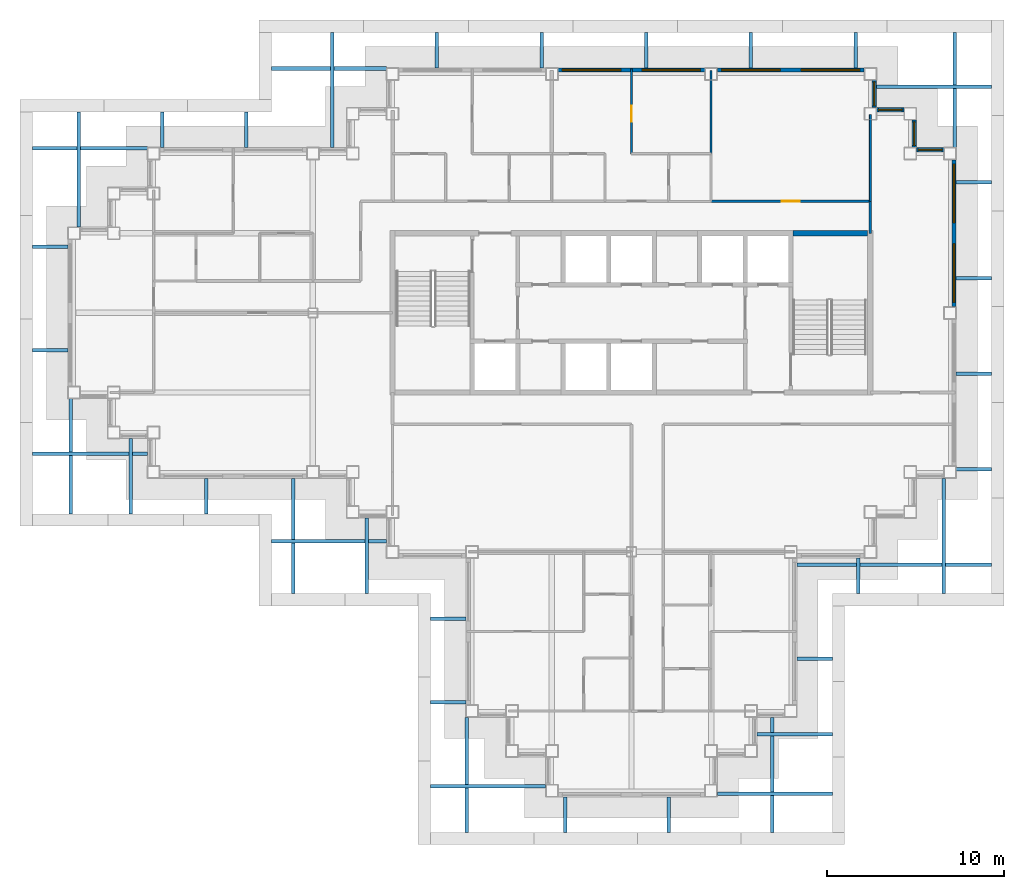
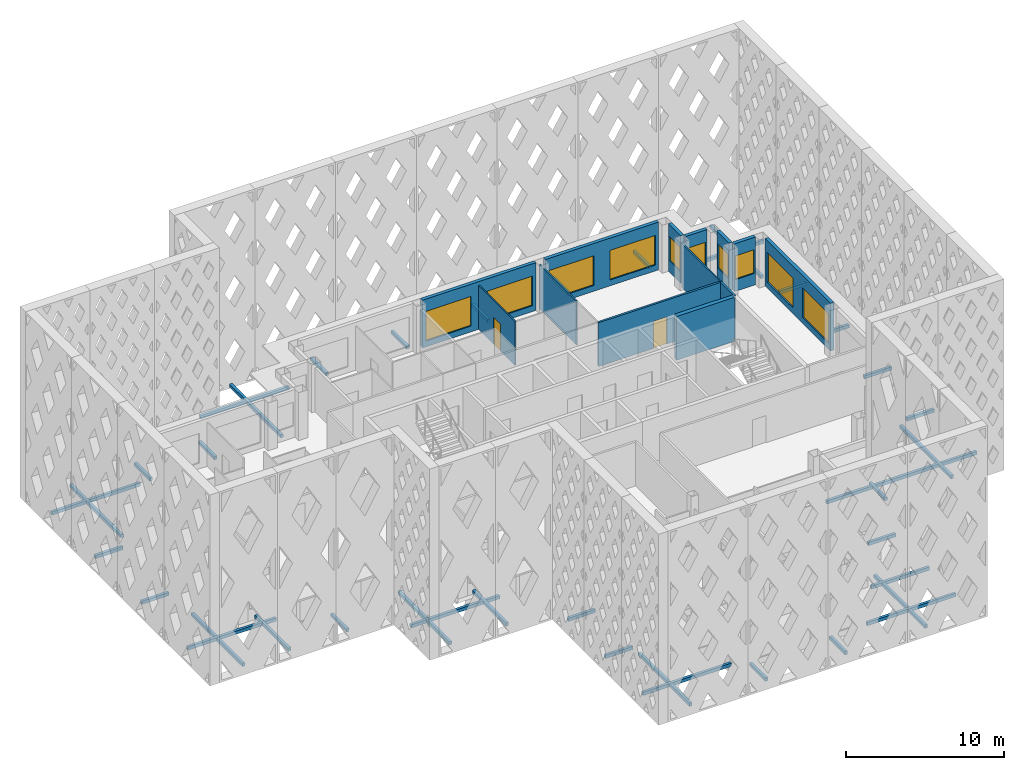
# One storey, part 7 of 16: 39 discrete accessories, 13 walls, 10 windows, 2 doors, 12 openings.
"""IFC4 building model written with IfcOpenShell, lengths in metres."""

from ifc_helpers import new_model, si_unit, direction, frame, frame_2d, origin, origin_2d, place, context, subcontext, project, spatial, rectangle, extrude, material, layer, layer_set, type_object, element, fill, save


model = new_model("IFC4")

# Units and contexts
model_context = context("Model", 3, precision=1e-05, world=origin(), true_north=direction((0.0, 1.0)))
body_context = subcontext(model_context, "Body", "Model", "MODEL_VIEW")
ifc_project = project(units=[si_unit("LENGTHUNIT", "METRE"), si_unit("AREAUNIT", "SQUARE_METRE"), si_unit("VOLUMEUNIT", "CUBIC_METRE"), si_unit("PLANEANGLEUNIT", "RADIAN"), si_unit("MASSUNIT", "GRAM", prefix="KILO")], contexts=[model_context])

# Site, building, storey
site_placement = place(None, origin())
site = spatial("IfcSite", under=ifc_project, at=site_placement, CompositionType="ELEMENT")
building_placement = place(site_placement, origin())
building = spatial("IfcBuilding", under=site, at=building_placement, Name="Caravel Reach Hotel and Residences", CompositionType="ELEMENT")
storey_placement = place(building_placement, frame((0.0, 0.0, 207.199951171875)))
storey = spatial("IfcBuildingStorey", under=building, at=storey_placement, Name="L52", CompositionType="ELEMENT", Elevation=207.199951171875)

# Wall
ifc_material_1 = material(Name="Concrete C60", Category="concrete")
ifc_layer_1 = layer(ifc_material_1, 0.300048828125)
ifc_layer_set_1 = layer_set([ifc_layer_1], Name="Core wall 300 mm EI 120")
wall_type_1 = type_object("IfcWallType", Name="Core wall 300 mm EI 120", PredefinedType="SHEAR", material=ifc_layer_set_1)
wall_1_placement = place(storey_placement, frame((40.625, 31.5, 0.0), z_axis=(0.0, 0.0, 1.0), x_axis=(1.0, 0.0, 0.0)))
element("IfcWall", 1, at=wall_1_placement, inside=storey, type_object=wall_type_1, Name="L52 core wall N3", PredefinedType="SHEAR", context=body_context, shape_type="SweptSolid", body=[
    extrude(rectangle(XDim=4.22509765625, YDim=0.300048828125, at=frame_2d((2.112548828125, 0.0))), origin(), (0.0, 0.0, 1.0), 3.400146484375),
])

# Wall, opening, door
ifc_material_2 = material(Name="Gypsum board on steel stud, fire-rated", Category="steel")
ifc_layer_2 = layer(ifc_material_2, 0.14990234375)
ifc_layer_set_2 = layer_set([ifc_layer_2], Name="Corridor wall 150 mm EI 60")
wall_type_2 = type_object("IfcWallType", Name="Corridor wall 150 mm EI 60", PredefinedType="PARTITIONING", material=ifc_layer_set_2)
wall_2_placement = place(storey_placement, frame((36.0, 33.300048828125, 0.0), z_axis=(0.0, 0.0, 1.0), x_axis=(1.0, 0.0, 0.0)))
wall_2 = element("IfcWall", 2, at=wall_2_placement, inside=storey, type_object=wall_type_2, Name="L52 wall w014", PredefinedType="PARTITIONING", context=body_context, shape_type="SweptSolid", body=[
    extrude(rectangle(XDim=9.0, YDim=0.14990234375, at=frame_2d((4.5, 0.0))), origin(), (0.0, 0.0, 1.0), 3.400146484375),
])
opening_1_placement = place(wall_2_placement, frame((4.0, 0.0, 0.0)))
opening_1 = element("IfcOpeningElement", 3, at=opening_1_placement, cuts=wall_2, Name="Opening D52-024", PredefinedType="OPENING", context=body_context, shape_type="SweptSolid", body=[
    extrude(rectangle(XDim=1.0, YDim=2.10009765625, at=frame_2d((0.5, 1.050048828125))), frame((0.0, 0.0849609375, 0.0), z_axis=(0.0, -1.0, 0.0), x_axis=(1.0, 0.0, 0.0)), (0.0, 0.0, 1.0), 0.169921875),
])
ifc_material_3 = material(Name="Steel fire door leaf", Category="steel")
door_type_1 = type_object("IfcDoorType", Name="Fire door 1000 x 2100 EI 60", OperationType="SINGLE_SWING_LEFT", PredefinedType="DOOR", material=ifc_material_3)
door_1_placement = place(opening_1_placement, origin())
door_1 = element("IfcDoor", 4, at=door_1_placement, inside=storey, type_object=door_type_1, Name="door D52-024", OperationType="SINGLE_SWING_RIGHT", OverallHeight=2.10009765625, OverallWidth=1.0, PredefinedType="DOOR", context=body_context, shape_type="SweptSolid", body=[
    extrude(rectangle(XDim=1.0, YDim=2.10009765625, at=frame_2d((0.5, 1.050048828125))), frame((0.0, 0.02490234375, 0.0), z_axis=(0.0, -1.0, 0.0), x_axis=(1.0, 0.0, 0.0)), (0.0, 0.0, 1.0), 0.050048828125),
])
fill(opening_1, door_1)

# Wall
wall_3_placement = place(storey_placement, frame((45.0, 31.5, 0.0), z_axis=(0.0, 0.0, 1.0), x_axis=(0.0, 1.0, 0.0)))
element("IfcWall", 5, at=wall_3_placement, inside=storey, type_object=wall_type_2, Name="L52 wall w026", PredefinedType="PARTITIONING", context=body_context, shape_type="SweptSolid", body=[
    extrude(rectangle(XDim=1.800048828125, YDim=0.14990234375, at=frame_2d((0.89990234375, 0.0))), origin(), (0.0, 0.0, 1.0), 3.400146484375),
])

# Wall, openings, windows
ifc_material_4 = material(Name="Insulated rainscreen wall, aluminium cladding", Category="aluminium")
ifc_layer_3 = layer(ifc_material_4, 0.25)
ifc_layer_set_3 = layer_set([ifc_layer_3], Name="EW1 Tower rainscreen wall")
wall_type_3 = type_object("IfcWallType", Name="EW1 Tower rainscreen wall", PredefinedType="SOLIDWALL", material=ifc_layer_set_3)
wall_4_placement = place(storey_placement, frame((49.72509765625, 27.35009765625, 0.0), z_axis=(0.0, 0.0, 1.0), x_axis=(0.0, 1.0, 0.0)))
wall_4 = element("IfcWall", 6, at=wall_4_placement, inside=storey, type_object=wall_type_3, Name="External wall L52 E6.2", PredefinedType="SOLIDWALL", context=body_context, shape_type="SweptSolid", body=[
    extrude(rectangle(XDim=8.2998046875, YDim=0.25, at=frame_2d((4.14990234375, 0.0))), origin(), (0.0, 0.0, 1.0), 3.699951171875),
])
opening_2_placement = place(wall_4_placement, frame((0.25, 0.0, 0.449951171875)))
opening_2 = element("IfcOpeningElement", 7, at=opening_2_placement, cuts=wall_4, Name="Opening WN15", PredefinedType="OPENING", context=body_context, shape_type="SweptSolid", body=[
    extrude(rectangle(XDim=3.300048828125, YDim=2.300048828125, at=frame_2d((1.64990234375, 1.14990234375))), frame((0.0, 0.135009765625, 0.0), z_axis=(0.0, -1.0, 0.0), x_axis=(1.0, 0.0, 0.0)), (0.0, 0.0, 1.0), 0.27001953125),
])
opening_3_placement = place(wall_4_placement, frame((4.75, 0.0, 0.449951171875)))
opening_3 = element("IfcOpeningElement", 8, at=opening_3_placement, cuts=wall_4, Name="Opening WN15", PredefinedType="OPENING", context=body_context, shape_type="SweptSolid", body=[
    extrude(rectangle(XDim=3.300048828125, YDim=2.300048828125, at=frame_2d((1.64990234375, 1.14990234375))), frame((0.0, 0.135009765625, 0.0), z_axis=(0.0, -1.0, 0.0), x_axis=(1.0, 0.0, 0.0)), (0.0, 0.0, 1.0), 0.27001953125),
])
ifc_material_5 = material(Name="Dark low-e glazing in black aluminium frame", Category="aluminium")
window_type_1 = type_object("IfcWindowType", Name="Residence living window 3300 x 2300", PartitioningType="SINGLE_PANEL", PredefinedType="WINDOW", material=ifc_material_5)
window_1_placement = place(opening_2_placement, origin())
window_1 = element("IfcWindow", 9, at=window_1_placement, inside=storey, type_object=window_type_1, Name="Window L52 E6.2.1", OverallHeight=2.300048828125, OverallWidth=3.300048828125, PartitioningType="SINGLE_PANEL", PredefinedType="WINDOW", context=body_context, shape_type="SweptSolid", body=[
    extrude(rectangle(XDim=3.300048828125, YDim=2.300048828125, at=frame_2d((1.64990234375, 1.14990234375))), frame((0.0, 0.030029296875, 0.0), z_axis=(0.0, -1.0, 0.0), x_axis=(1.0, 0.0, 0.0)), (0.0, 0.0, 1.0), 0.06005859375),
])
fill(opening_2, window_1)
window_2_placement = place(opening_3_placement, origin())
window_2 = element("IfcWindow", 10, at=window_2_placement, inside=storey, type_object=window_type_1, Name="Window L52 E6.2.2", OverallHeight=2.300048828125, OverallWidth=3.300048828125, PartitioningType="SINGLE_PANEL", PredefinedType="WINDOW", context=body_context, shape_type="SweptSolid", body=[
    extrude(rectangle(XDim=3.300048828125, YDim=2.300048828125, at=frame_2d((1.64990234375, 1.14990234375))), frame((0.0, 0.030029296875, 0.0), z_axis=(0.0, -1.0, 0.0), x_axis=(1.0, 0.0, 0.0)), (0.0, 0.0, 1.0), 0.06005859375),
])
fill(opening_3, window_2)

# Wall, opening, window
wall_5_placement = place(storey_placement, frame((49.14990234375, 36.22509765625, 0.0), z_axis=(0.0, 0.0, 1.0), x_axis=(-1.0, 0.0, 0.0)))
wall_5 = element("IfcWall", 11, at=wall_5_placement, inside=storey, type_object=wall_type_3, Name="External wall L52 N7.1", PredefinedType="SOLIDWALL", context=body_context, shape_type="SweptSolid", body=[
    extrude(rectangle(XDim=1.5498046875, YDim=0.25, at=frame_2d((0.77490234375, 0.0))), origin(), (0.0, 0.0, 1.0), 3.699951171875),
])
opening_4_placement = place(wall_5_placement, frame((0.10009765625, 0.0, 0.89990234375)))
opening_4 = element("IfcOpeningElement", 12, at=opening_4_placement, cuts=wall_5, Name="Opening WN21", PredefinedType="OPENING", context=body_context, shape_type="SweptSolid", body=[
    extrude(rectangle(XDim=1.35009765625, YDim=1.85009765625, at=frame_2d((0.675048828125, 0.925048828125))), frame((0.0, 0.135009765625, 0.0), z_axis=(0.0, -1.0, 0.0), x_axis=(1.0, 0.0, 0.0)), (0.0, 0.0, 1.0), 0.27001953125),
])
ifc_material_6 = material(Name="Dark low-e glazing in black aluminium frame", Category="aluminium")
window_type_2 = type_object("IfcWindowType", Name="Residence bedroom window 1350 x 1850", PartitioningType="SINGLE_PANEL", PredefinedType="WINDOW", material=ifc_material_6)
window_3_placement = place(opening_4_placement, origin())
window_3 = element("IfcWindow", 13, at=window_3_placement, inside=storey, type_object=window_type_2, Name="Window L52 N7.1.1", OverallHeight=1.85009765625, OverallWidth=1.35009765625, PartitioningType="SINGLE_PANEL", PredefinedType="WINDOW", context=body_context, shape_type="SweptSolid", body=[
    extrude(rectangle(XDim=1.35009765625, YDim=1.85009765625, at=frame_2d((0.675048828125, 0.925048828125))), frame((0.0, 0.030029296875, 0.0), z_axis=(0.0, -1.0, 0.0), x_axis=(1.0, 0.0, 0.0)), (0.0, 0.0, 1.0), 0.06005859375),
])
fill(opening_4, window_3)

wall_6_placement = place(storey_placement, frame((47.47509765625, 36.35009765625, 0.0), z_axis=(0.0, 0.0, 1.0), x_axis=(0.0, 1.0, 0.0)))
wall_6 = element("IfcWall", 14, at=wall_6_placement, inside=storey, type_object=wall_type_3, Name="External wall L52 E8.1", PredefinedType="SOLIDWALL", context=body_context, shape_type="SweptSolid", body=[
    extrude(rectangle(XDim=1.5498046875, YDim=0.25, at=frame_2d((0.77490234375, 0.0))), origin(), (0.0, 0.0, 1.0), 3.699951171875),
])
opening_5_placement = place(wall_6_placement, frame((0.10009765625, 0.0, 0.89990234375)))
opening_5 = element("IfcOpeningElement", 15, at=opening_5_placement, cuts=wall_6, Name="Opening WN21", PredefinedType="OPENING", context=body_context, shape_type="SweptSolid", body=[
    extrude(rectangle(XDim=1.35009765625, YDim=1.85009765625, at=frame_2d((0.675048828125, 0.925048828125))), frame((0.0, 0.135009765625, 0.0), z_axis=(0.0, -1.0, 0.0), x_axis=(1.0, 0.0, 0.0)), (0.0, 0.0, 1.0), 0.27001953125),
])
window_4_placement = place(opening_5_placement, origin())
window_4 = element("IfcWindow", 16, at=window_4_placement, inside=storey, type_object=window_type_2, Name="Window L52 E8.1.1", OverallHeight=1.85009765625, OverallWidth=1.35009765625, PartitioningType="SINGLE_PANEL", PredefinedType="WINDOW", context=body_context, shape_type="SweptSolid", body=[
    extrude(rectangle(XDim=1.35009765625, YDim=1.85009765625, at=frame_2d((0.675048828125, 0.925048828125))), frame((0.0, 0.030029296875, 0.0), z_axis=(0.0, -1.0, 0.0), x_axis=(1.0, 0.0, 0.0)), (0.0, 0.0, 1.0), 0.06005859375),
])
fill(opening_5, window_4)

wall_7_placement = place(storey_placement, frame((46.89990234375, 38.47509765625, 0.0), z_axis=(0.0, 0.0, 1.0), x_axis=(-1.0, 0.0, 0.0)))
wall_7 = element("IfcWall", 17, at=wall_7_placement, inside=storey, type_object=wall_type_3, Name="External wall L52 N9.1", PredefinedType="SOLIDWALL", context=body_context, shape_type="SweptSolid", body=[
    extrude(rectangle(XDim=1.5498046875, YDim=0.25, at=frame_2d((0.77490234375, 0.0))), origin(), (0.0, 0.0, 1.0), 3.699951171875),
])
opening_6_placement = place(wall_7_placement, frame((0.10009765625, 0.0, 0.89990234375)))
opening_6 = element("IfcOpeningElement", 18, at=opening_6_placement, cuts=wall_7, Name="Opening WN21", PredefinedType="OPENING", context=body_context, shape_type="SweptSolid", body=[
    extrude(rectangle(XDim=1.35009765625, YDim=1.85009765625, at=frame_2d((0.675048828125, 0.925048828125))), frame((0.0, 0.135009765625, 0.0), z_axis=(0.0, -1.0, 0.0), x_axis=(1.0, 0.0, 0.0)), (0.0, 0.0, 1.0), 0.27001953125),
])
window_5_placement = place(opening_6_placement, origin())
window_5 = element("IfcWindow", 19, at=window_5_placement, inside=storey, type_object=window_type_2, Name="Window L52 N9.1.1", OverallHeight=1.85009765625, OverallWidth=1.35009765625, PartitioningType="SINGLE_PANEL", PredefinedType="WINDOW", context=body_context, shape_type="SweptSolid", body=[
    extrude(rectangle(XDim=1.35009765625, YDim=1.85009765625, at=frame_2d((0.675048828125, 0.925048828125))), frame((0.0, 0.030029296875, 0.0), z_axis=(0.0, -1.0, 0.0), x_axis=(1.0, 0.0, 0.0)), (0.0, 0.0, 1.0), 0.06005859375),
])
fill(opening_6, window_5)

wall_8_placement = place(storey_placement, frame((45.22509765625, 38.60009765625, 0.0), z_axis=(0.0, 0.0, 1.0), x_axis=(0.0, 1.0, 0.0)))
wall_8 = element("IfcWall", 20, at=wall_8_placement, inside=storey, type_object=wall_type_3, Name="External wall L52 E10.1", PredefinedType="SOLIDWALL", context=body_context, shape_type="SweptSolid", body=[
    extrude(rectangle(XDim=1.5498046875, YDim=0.25, at=frame_2d((0.77490234375, 0.0))), origin(), (0.0, 0.0, 1.0), 3.699951171875),
])
opening_7_placement = place(wall_8_placement, frame((0.10009765625, 0.0, 0.89990234375)))
opening_7 = element("IfcOpeningElement", 21, at=opening_7_placement, cuts=wall_8, Name="Opening WN21", PredefinedType="OPENING", context=body_context, shape_type="SweptSolid", body=[
    extrude(rectangle(XDim=1.35009765625, YDim=1.85009765625, at=frame_2d((0.675048828125, 0.925048828125))), frame((0.0, 0.135009765625, 0.0), z_axis=(0.0, -1.0, 0.0), x_axis=(1.0, 0.0, 0.0)), (0.0, 0.0, 1.0), 0.27001953125),
])
window_6_placement = place(opening_7_placement, origin())
window_6 = element("IfcWindow", 22, at=window_6_placement, inside=storey, type_object=window_type_2, Name="Window L52 E10.1.1", OverallHeight=1.85009765625, OverallWidth=1.35009765625, PartitioningType="SINGLE_PANEL", PredefinedType="WINDOW", context=body_context, shape_type="SweptSolid", body=[
    extrude(rectangle(XDim=1.35009765625, YDim=1.85009765625, at=frame_2d((0.675048828125, 0.925048828125))), frame((0.0, 0.030029296875, 0.0), z_axis=(0.0, -1.0, 0.0), x_axis=(1.0, 0.0, 0.0)), (0.0, 0.0, 1.0), 0.06005859375),
])
fill(opening_7, window_6)

# Wall, openings, windows
wall_9_placement = place(storey_placement, frame((44.64990234375, 40.72509765625, 0.0), z_axis=(0.0, 0.0, 1.0), x_axis=(-1.0, 0.0, 0.0)))
wall_9 = element("IfcWall", 23, at=wall_9_placement, inside=storey, type_object=wall_type_3, Name="External wall L52 N11.1", PredefinedType="SOLIDWALL", context=body_context, shape_type="SweptSolid", body=[
    extrude(rectangle(XDim=8.2998046875, YDim=0.25, at=frame_2d((4.14990234375, 0.0))), origin(), (0.0, 0.0, 1.0), 3.699951171875),
])
opening_8_placement = place(wall_9_placement, frame((0.25, 0.0, 0.449951171875)))
opening_8 = element("IfcOpeningElement", 24, at=opening_8_placement, cuts=wall_9, Name="Opening WN15", PredefinedType="OPENING", context=body_context, shape_type="SweptSolid", body=[
    extrude(rectangle(XDim=3.300048828125, YDim=2.300048828125, at=frame_2d((1.64990234375, 1.14990234375))), frame((0.0, 0.135009765625, 0.0), z_axis=(0.0, -1.0, 0.0), x_axis=(1.0, 0.0, 0.0)), (0.0, 0.0, 1.0), 0.27001953125),
])
opening_9_placement = place(wall_9_placement, frame((4.75, 0.0, 0.449951171875)))
opening_9 = element("IfcOpeningElement", 25, at=opening_9_placement, cuts=wall_9, Name="Opening WN15", PredefinedType="OPENING", context=body_context, shape_type="SweptSolid", body=[
    extrude(rectangle(XDim=3.300048828125, YDim=2.300048828125, at=frame_2d((1.64990234375, 1.14990234375))), frame((0.0, 0.135009765625, 0.0), z_axis=(0.0, -1.0, 0.0), x_axis=(1.0, 0.0, 0.0)), (0.0, 0.0, 1.0), 0.27001953125),
])
window_7_placement = place(opening_8_placement, origin())
window_7 = element("IfcWindow", 26, at=window_7_placement, inside=storey, type_object=window_type_1, Name="Window L52 N11.1.1", OverallHeight=2.300048828125, OverallWidth=3.300048828125, PartitioningType="SINGLE_PANEL", PredefinedType="WINDOW", context=body_context, shape_type="SweptSolid", body=[
    extrude(rectangle(XDim=3.300048828125, YDim=2.300048828125, at=frame_2d((1.64990234375, 1.14990234375))), frame((0.0, 0.030029296875, 0.0), z_axis=(0.0, -1.0, 0.0), x_axis=(1.0, 0.0, 0.0)), (0.0, 0.0, 1.0), 0.06005859375),
])
fill(opening_8, window_7)
window_8_placement = place(opening_9_placement, origin())
window_8 = element("IfcWindow", 27, at=window_8_placement, inside=storey, type_object=window_type_1, Name="Window L52 N11.1.2", OverallHeight=2.300048828125, OverallWidth=3.300048828125, PartitioningType="SINGLE_PANEL", PredefinedType="WINDOW", context=body_context, shape_type="SweptSolid", body=[
    extrude(rectangle(XDim=3.300048828125, YDim=2.300048828125, at=frame_2d((1.64990234375, 1.14990234375))), frame((0.0, 0.030029296875, 0.0), z_axis=(0.0, -1.0, 0.0), x_axis=(1.0, 0.0, 0.0)), (0.0, 0.0, 1.0), 0.06005859375),
])
fill(opening_9, window_8)

wall_10_placement = place(storey_placement, frame((35.64990234375, 40.72509765625, 0.0), z_axis=(0.0, 0.0, 1.0), x_axis=(-1.0, 0.0, 0.0)))
wall_10 = element("IfcWall", 28, at=wall_10_placement, inside=storey, type_object=wall_type_3, Name="External wall L52 N11.2", PredefinedType="SOLIDWALL", context=body_context, shape_type="SweptSolid", body=[
    extrude(rectangle(XDim=8.2998046875, YDim=0.25, at=frame_2d((4.14990234375, 0.0))), origin(), (0.0, 0.0, 1.0), 3.699951171875),
])
opening_10_placement = place(wall_10_placement, frame((0.25, 0.0, 0.449951171875)))
opening_10 = element("IfcOpeningElement", 29, at=opening_10_placement, cuts=wall_10, Name="Opening WN15", PredefinedType="OPENING", context=body_context, shape_type="SweptSolid", body=[
    extrude(rectangle(XDim=3.300048828125, YDim=2.300048828125, at=frame_2d((1.64990234375, 1.14990234375))), frame((0.0, 0.135009765625, 0.0), z_axis=(0.0, -1.0, 0.0), x_axis=(1.0, 0.0, 0.0)), (0.0, 0.0, 1.0), 0.27001953125),
])
opening_11_placement = place(wall_10_placement, frame((4.75, 0.0, 0.449951171875)))
opening_11 = element("IfcOpeningElement", 30, at=opening_11_placement, cuts=wall_10, Name="Opening WN15", PredefinedType="OPENING", context=body_context, shape_type="SweptSolid", body=[
    extrude(rectangle(XDim=3.300048828125, YDim=2.300048828125, at=frame_2d((1.64990234375, 1.14990234375))), frame((0.0, 0.135009765625, 0.0), z_axis=(0.0, -1.0, 0.0), x_axis=(1.0, 0.0, 0.0)), (0.0, 0.0, 1.0), 0.27001953125),
])
window_9_placement = place(opening_10_placement, origin())
window_9 = element("IfcWindow", 31, at=window_9_placement, inside=storey, type_object=window_type_1, Name="Window L52 N11.2.1", OverallHeight=2.300048828125, OverallWidth=3.300048828125, PartitioningType="SINGLE_PANEL", PredefinedType="WINDOW", context=body_context, shape_type="SweptSolid", body=[
    extrude(rectangle(XDim=3.300048828125, YDim=2.300048828125, at=frame_2d((1.64990234375, 1.14990234375))), frame((0.0, 0.030029296875, 0.0), z_axis=(0.0, -1.0, 0.0), x_axis=(1.0, 0.0, 0.0)), (0.0, 0.0, 1.0), 0.06005859375),
])
fill(opening_10, window_9)
window_10_placement = place(opening_11_placement, origin())
window_10 = element("IfcWindow", 32, at=window_10_placement, inside=storey, type_object=window_type_1, Name="Window L52 N11.2.2", OverallHeight=2.300048828125, OverallWidth=3.300048828125, PartitioningType="SINGLE_PANEL", PredefinedType="WINDOW", context=body_context, shape_type="SweptSolid", body=[
    extrude(rectangle(XDim=3.300048828125, YDim=2.300048828125, at=frame_2d((1.64990234375, 1.14990234375))), frame((0.0, 0.030029296875, 0.0), z_axis=(0.0, -1.0, 0.0), x_axis=(1.0, 0.0, 0.0)), (0.0, 0.0, 1.0), 0.06005859375),
])
fill(opening_11, window_10)

# Wall, opening, door
ifc_material_7 = material(Name="Gypsum board on steel stud", Category="steel")
ifc_layer_4 = layer(ifc_material_7, 0.10009765625)
ifc_layer_set_4 = layer_set([ifc_layer_4], Name="Partition 100 mm")
wall_type_4 = type_object("IfcWallType", Name="Partition 100 mm", PredefinedType="PARTITIONING", material=ifc_layer_set_4)
wall_11_placement = place(storey_placement, frame((31.5, 36.0, 0.0), z_axis=(0.0, 0.0, 1.0), x_axis=(0.0, 1.0, 0.0)))
wall_11 = element("IfcWall", 33, at=wall_11_placement, inside=storey, type_object=wall_type_4, Name="L52 wall w053", PredefinedType="PARTITIONING", context=body_context, shape_type="SweptSolid", body=[
    extrude(rectangle(XDim=4.7900390625, YDim=0.10009765625, at=frame_2d((2.39501953125, 0.0))), origin(), (0.0, 0.0, 1.0), 3.400146484375),
])
opening_12_placement = place(wall_11_placement, frame((1.800048828125, 0.0, 0.0)))
opening_12 = element("IfcOpeningElement", 34, at=opening_12_placement, cuts=wall_11, Name="Opening D52-023", PredefinedType="OPENING", context=body_context, shape_type="SweptSolid", body=[
    extrude(rectangle(XDim=0.89990234375, YDim=2.10009765625, at=frame_2d((0.449951171875, 1.050048828125))), frame((0.0, 0.06005859375, 0.0), z_axis=(0.0, -1.0, 0.0), x_axis=(1.0, 0.0, 0.0)), (0.0, 0.0, 1.0), 0.1201171875),
])
ifc_material_8 = material(Name="Timber and steel door leaf", Category="steel")
door_type_2 = type_object("IfcDoorType", Name="Door 900 x 2100 timber", OperationType="SINGLE_SWING_LEFT", PredefinedType="DOOR", material=ifc_material_8)
door_2_placement = place(opening_12_placement, origin())
door_2 = element("IfcDoor", 35, at=door_2_placement, inside=storey, type_object=door_type_2, Name="door D52-023", OperationType="SINGLE_SWING_RIGHT", OverallHeight=2.10009765625, OverallWidth=0.89990234375, PredefinedType="DOOR", context=body_context, shape_type="SweptSolid", body=[
    extrude(rectangle(XDim=0.89990234375, YDim=2.10009765625, at=frame_2d((0.449951171875, 1.050048828125))), frame((0.0, 0.02490234375, 0.0), z_axis=(0.0, -1.0, 0.0), x_axis=(1.0, 0.0, 0.0)), (0.0, 0.0, 1.0), 0.050048828125),
])
fill(opening_12, door_2)

# Walls
wall_12_placement = place(storey_placement, frame((36.0, 36.0, 0.0), z_axis=(0.0, 0.0, 1.0), x_axis=(0.0, 1.0, 0.0)))
element("IfcWall", 36, at=wall_12_placement, inside=storey, type_object=wall_type_4, Name="L52 wall w054", PredefinedType="PARTITIONING", context=body_context, shape_type="SweptSolid", body=[
    extrude(rectangle(XDim=4.68994140625, YDim=0.10009765625, at=frame_2d((2.344970703125, 0.0))), origin(), (0.0, 0.0, 1.0), 3.400146484375),
])
wall_13_placement = place(storey_placement, frame((45.0, 33.300048828125, 0.0), z_axis=(0.0, 0.0, 1.0), x_axis=(0.0, 1.0, 0.0)))
element("IfcWall", 37, at=wall_13_placement, inside=storey, type_object=wall_type_4, Name="L52 wall w059", PredefinedType="PARTITIONING", context=body_context, shape_type="SweptSolid", body=[
    extrude(rectangle(XDim=4.89990234375, YDim=0.10009765625, at=frame_2d((2.449951171875, 0.0))), origin(), (0.0, 0.0, 1.0), 3.400146484375),
])

# Discrete accessories
ifc_material_9 = material(Name="Black powder-coated aluminium", Category="aluminium")
discrete_accessory_type = type_object("IfcDiscreteAccessoryType", Name="BR1 Screen bracket", PredefinedType="BRACKET", material=ifc_material_9)
discrete_accessory_1_placement = place(storey_placement, frame((39.60009765625, -0.169921875, 0.10009765625), z_axis=(0.0, 0.0, 1.0), x_axis=(1.0, 0.0, 0.0)))
element("IfcDiscreteAccessory", 38, at=discrete_accessory_1_placement, inside=storey, type_object=discrete_accessory_type, Name="Screen bracket L52 1.1.1", PredefinedType="BRACKET", context=body_context, shape_type="SweptSolid", body=[
    extrude(rectangle(XDim=6.5, YDim=0.199951171875, at=origin_2d()), origin(), (0.0, 0.0, 1.0), 0.25),
])
discrete_accessory_2_placement = place(storey_placement, frame((40.72509765625, 3.19677734375, 0.10009765625), z_axis=(0.0, 0.0, 1.0), x_axis=(1.0, 0.0, 0.0)))
element("IfcDiscreteAccessory", 39, at=discrete_accessory_2_placement, inside=storey, type_object=discrete_accessory_type, Name="Screen bracket L52 1.2.1", PredefinedType="BRACKET", context=body_context, shape_type="SweptSolid", body=[
    extrude(rectangle(XDim=4.25, YDim=0.199951171875, at=origin_2d()), origin(), (0.0, 0.0, 1.0), 0.25),
])
for number, where, z_axis, x_axis, name in (
    (40, (41.85009765625, 7.46337890625, 0.10009765625), (0.0, 0.0, 1.0), (1.0, 0.0, 0.0), "Screen bracket L52 1.3.1"),
    (41, (44.304931640625, 12.14990234375, 0.10009765625), (0.0, 0.0, 1.0), (0.0, -1.0, 0.0), "Screen bracket L52 2.1.1"),
):
    element("IfcDiscreteAccessory", number, at=place(storey_placement, frame(where, z_axis=z_axis, x_axis=x_axis)), inside=storey, type_object=discrete_accessory_type, Name=name, PredefinedType="BRACKET", context=body_context, shape_type="SweptSolid", body=[
        extrude(rectangle(XDim=2.0, YDim=0.199951171875, at=origin_2d()), origin(), (0.0, 0.0, 1.0), 0.25),
    ])
discrete_accessory_3_placement = place(storey_placement, frame((49.155029296875, 14.39990234375, 0.10009765625), z_axis=(0.0, 0.0, 1.0), x_axis=(0.0, -1.0, 0.0)))
element("IfcDiscreteAccessory", 42, at=discrete_accessory_3_placement, inside=storey, type_object=discrete_accessory_type, Name="Screen bracket L52 2.2.1", PredefinedType="BRACKET", context=body_context, shape_type="SweptSolid", body=[
    extrude(rectangle(XDim=6.5, YDim=0.199951171875, at=origin_2d()), origin(), (0.0, 0.0, 1.0), 0.25),
])
discrete_accessory_4_placement = place(storey_placement, frame((46.35009765625, 12.77001953125, 0.10009765625), z_axis=(0.0, 0.0, 1.0), x_axis=(1.0, 0.0, 0.0)))
element("IfcDiscreteAccessory", 43, at=discrete_accessory_4_placement, inside=storey, type_object=discrete_accessory_type, Name="Screen bracket L52 3.1.1", PredefinedType="BRACKET", context=body_context, shape_type="SweptSolid", body=[
    extrude(rectangle(XDim=11.0, YDim=0.199951171875, at=origin_2d()), origin(), (0.0, 0.0, 1.0), 0.25),
])
for number, where, z_axis, x_axis, name in (
    (44, (50.85009765625, 18.169921875, 0.10009765625), (0.0, 0.0, 1.0), (1.0, 0.0, 0.0), "Screen bracket L52 3.2.1"),
    (45, (50.85009765625, 23.570068359375, 0.10009765625), (0.0, 0.0, 1.0), (1.0, 0.0, 0.0), "Screen bracket L52 3.3.1"),
    (46, (50.85009765625, 28.969970703125, 0.10009765625), (0.0, 0.0, 1.0), (1.0, 0.0, 0.0), "Screen bracket L52 3.4.1"),
    (47, (50.85009765625, 34.3701171875, 0.10009765625), (0.0, 0.0, 1.0), (1.0, 0.0, 0.0), "Screen bracket L52 3.5.1"),
):
    element("IfcDiscreteAccessory", number, at=place(storey_placement, frame(where, z_axis=z_axis, x_axis=x_axis)), inside=storey, type_object=discrete_accessory_type, Name=name, PredefinedType="BRACKET", context=body_context, shape_type="SweptSolid", body=[
        extrude(rectangle(XDim=2.0, YDim=0.199951171875, at=origin_2d()), origin(), (0.0, 0.0, 1.0), 0.25),
    ])
for number, where, z_axis, x_axis, name in (
    (48, (48.60009765625, 39.77001953125, 0.10009765625), (0.0, 0.0, 1.0), (1.0, 0.0, 0.0), "Screen bracket L52 3.6.1"),
    (49, (49.775634765625, 39.60009765625, 0.10009765625), (0.0, 0.0, 1.0), (0.0, 1.0, 0.0), "Screen bracket L52 4.1.1"),
):
    element("IfcDiscreteAccessory", number, at=place(storey_placement, frame(where, z_axis=z_axis, x_axis=x_axis)), inside=storey, type_object=discrete_accessory_type, Name=name, PredefinedType="BRACKET", context=body_context, shape_type="SweptSolid", body=[
        extrude(rectangle(XDim=6.5, YDim=0.199951171875, at=origin_2d()), origin(), (0.0, 0.0, 1.0), 0.25),
    ])
for number, where, z_axis, x_axis, name in (
    (50, (44.161376953125, 41.85009765625, 0.10009765625), (0.0, 0.0, 1.0), (0.0, 1.0, 0.0), "Screen bracket L52 4.2.1"),
    (51, (38.2470703125, 41.85009765625, 0.10009765625), (0.0, 0.0, 1.0), (0.0, 1.0, 0.0), "Screen bracket L52 4.3.1"),
    (52, (32.332763671875, 41.85009765625, 0.10009765625), (0.0, 0.0, 1.0), (0.0, 1.0, 0.0), "Screen bracket L52 4.4.1"),
    (53, (26.41845703125, 41.85009765625, 0.10009765625), (0.0, 0.0, 1.0), (0.0, 1.0, 0.0), "Screen bracket L52 4.5.1"),
    (54, (20.50439453125, 41.85009765625, 0.10009765625), (0.0, 0.0, 1.0), (0.0, 1.0, 0.0), "Screen bracket L52 4.6.1"),
):
    element("IfcDiscreteAccessory", number, at=place(storey_placement, frame(where, z_axis=z_axis, x_axis=x_axis)), inside=storey, type_object=discrete_accessory_type, Name=name, PredefinedType="BRACKET", context=body_context, shape_type="SweptSolid", body=[
        extrude(rectangle(XDim=2.0, YDim=0.199951171875, at=origin_2d()), origin(), (0.0, 0.0, 1.0), 0.25),
    ])
for number, where, z_axis, x_axis, name in (
    (55, (14.590087890625, 39.60009765625, 0.10009765625), (0.0, 0.0, 1.0), (0.0, 1.0, 0.0), "Screen bracket L52 4.7.1"),
    (56, (14.39990234375, 40.81005859375, 0.10009765625), (0.0, 0.0, 1.0), (-1.0, 0.0, 0.0), "Screen bracket L52 5.1.1"),
):
    element("IfcDiscreteAccessory", number, at=place(storey_placement, frame(where, z_axis=z_axis, x_axis=x_axis)), inside=storey, type_object=discrete_accessory_type, Name=name, PredefinedType="BRACKET", context=body_context, shape_type="SweptSolid", body=[
        extrude(rectangle(XDim=6.5, YDim=0.199951171875, at=origin_2d()), origin(), (0.0, 0.0, 1.0), 0.25),
    ])
for number, where, z_axis, x_axis, name in (
    (57, (9.72998046875, 37.35009765625, 0.10009765625), (0.0, 0.0, 1.0), (0.0, 1.0, 0.0), "Screen bracket L52 6.1.1"),
    (58, (4.99658203125, 37.35009765625, 0.10009765625), (0.0, 0.0, 1.0), (0.0, 1.0, 0.0), "Screen bracket L52 6.2.1"),
):
    element("IfcDiscreteAccessory", number, at=place(storey_placement, frame(where, z_axis=z_axis, x_axis=x_axis)), inside=storey, type_object=discrete_accessory_type, Name=name, PredefinedType="BRACKET", context=body_context, shape_type="SweptSolid", body=[
        extrude(rectangle(XDim=2.0, YDim=0.199951171875, at=origin_2d()), origin(), (0.0, 0.0, 1.0), 0.25),
    ])
for number, where, z_axis, x_axis, name in (
    (59, (0.263427734375, 35.10009765625, 0.10009765625), (0.0, 0.0, 1.0), (0.0, 1.0, 0.0), "Screen bracket L52 6.3.1"),
    (60, (0.89990234375, 36.294921875, 0.10009765625), (0.0, 0.0, 1.0), (-1.0, 0.0, 0.0), "Screen bracket L52 7.1.1"),
):
    element("IfcDiscreteAccessory", number, at=place(storey_placement, frame(where, z_axis=z_axis, x_axis=x_axis)), inside=storey, type_object=discrete_accessory_type, Name=name, PredefinedType="BRACKET", context=body_context, shape_type="SweptSolid", body=[
        extrude(rectangle(XDim=6.5, YDim=0.199951171875, at=origin_2d()), origin(), (0.0, 0.0, 1.0), 0.25),
    ])
for number, where, z_axis, x_axis, name in (
    (61, (-1.35009765625, 30.7451171875, 0.10009765625), (0.0, 0.0, 1.0), (-1.0, 0.0, 0.0), "Screen bracket L52 7.2.1"),
    (62, (-1.35009765625, 24.89501953125, 0.10009765625), (0.0, 0.0, 1.0), (-1.0, 0.0, 0.0), "Screen bracket L52 7.3.1"),
):
    element("IfcDiscreteAccessory", number, at=place(storey_placement, frame(where, z_axis=z_axis, x_axis=x_axis)), inside=storey, type_object=discrete_accessory_type, Name=name, PredefinedType="BRACKET", context=body_context, shape_type="SweptSolid", body=[
        extrude(rectangle(XDim=2.0, YDim=0.199951171875, at=origin_2d()), origin(), (0.0, 0.0, 1.0), 0.25),
    ])
for number, where, z_axis, x_axis, name in (
    (63, (0.89990234375, 19.044921875, 0.10009765625), (0.0, 0.0, 1.0), (-1.0, 0.0, 0.0), "Screen bracket L52 7.4.1"),
    (64, (-0.169921875, 18.89990234375, 0.10009765625), (0.0, 0.0, 1.0), (0.0, -1.0, 0.0), "Screen bracket L52 8.1.1"),
):
    element("IfcDiscreteAccessory", number, at=place(storey_placement, frame(where, z_axis=z_axis, x_axis=x_axis)), inside=storey, type_object=discrete_accessory_type, Name=name, PredefinedType="BRACKET", context=body_context, shape_type="SweptSolid", body=[
        extrude(rectangle(XDim=6.5, YDim=0.199951171875, at=origin_2d()), origin(), (0.0, 0.0, 1.0), 0.25),
    ])
discrete_accessory_5_placement = place(storey_placement, frame((3.19677734375, 17.77490234375, 0.10009765625), z_axis=(0.0, 0.0, 1.0), x_axis=(0.0, -1.0, 0.0)))
element("IfcDiscreteAccessory", 65, at=discrete_accessory_5_placement, inside=storey, type_object=discrete_accessory_type, Name="Screen bracket L52 8.2.1", PredefinedType="BRACKET", context=body_context, shape_type="SweptSolid", body=[
    extrude(rectangle(XDim=4.25, YDim=0.199951171875, at=origin_2d()), origin(), (0.0, 0.0, 1.0), 0.25),
])
discrete_accessory_6_placement = place(storey_placement, frame((7.46337890625, 16.64990234375, 0.10009765625), z_axis=(0.0, 0.0, 1.0), x_axis=(0.0, -1.0, 0.0)))
element("IfcDiscreteAccessory", 66, at=discrete_accessory_6_placement, inside=storey, type_object=discrete_accessory_type, Name="Screen bracket L52 8.3.1", PredefinedType="BRACKET", context=body_context, shape_type="SweptSolid", body=[
    extrude(rectangle(XDim=2.0, YDim=0.199951171875, at=origin_2d()), origin(), (0.0, 0.0, 1.0), 0.25),
])
for number, where, z_axis, x_axis, name in (
    (67, (14.39990234375, 14.090087890625, 0.10009765625), (0.0, 0.0, 1.0), (-1.0, 0.0, 0.0), "Screen bracket L52 9.1.1"),
    (68, (12.39501953125, 14.39990234375, 0.10009765625), (0.0, 0.0, 1.0), (0.0, -1.0, 0.0), "Screen bracket L52 10.1.1"),
):
    element("IfcDiscreteAccessory", number, at=place(storey_placement, frame(where, z_axis=z_axis, x_axis=x_axis)), inside=storey, type_object=discrete_accessory_type, Name=name, PredefinedType="BRACKET", context=body_context, shape_type="SweptSolid", body=[
        extrude(rectangle(XDim=6.5, YDim=0.199951171875, at=origin_2d()), origin(), (0.0, 0.0, 1.0), 0.25),
    ])
discrete_accessory_7_placement = place(storey_placement, frame((16.544921875, 13.27490234375, 0.10009765625), z_axis=(0.0, 0.0, 1.0), x_axis=(0.0, -1.0, 0.0)))
element("IfcDiscreteAccessory", 69, at=discrete_accessory_7_placement, inside=storey, type_object=discrete_accessory_type, Name="Screen bracket L52 10.2.1", PredefinedType="BRACKET", context=body_context, shape_type="SweptSolid", body=[
    extrude(rectangle(XDim=4.25, YDim=0.199951171875, at=origin_2d()), origin(), (0.0, 0.0, 1.0), 0.25),
])
for number, where, z_axis, x_axis, name in (
    (70, (21.14990234375, 9.72998046875, 0.10009765625), (0.0, 0.0, 1.0), (-1.0, 0.0, 0.0), "Screen bracket L52 11.1.1"),
    (71, (21.14990234375, 4.99658203125, 0.10009765625), (0.0, 0.0, 1.0), (-1.0, 0.0, 0.0), "Screen bracket L52 11.2.1"),
):
    element("IfcDiscreteAccessory", number, at=place(storey_placement, frame(where, z_axis=z_axis, x_axis=x_axis)), inside=storey, type_object=discrete_accessory_type, Name=name, PredefinedType="BRACKET", context=body_context, shape_type="SweptSolid", body=[
        extrude(rectangle(XDim=2.0, YDim=0.199951171875, at=origin_2d()), origin(), (0.0, 0.0, 1.0), 0.25),
    ])
for number, where, z_axis, x_axis, name in (
    (72, (23.39990234375, 0.263427734375, 0.10009765625), (0.0, 0.0, 1.0), (-1.0, 0.0, 0.0), "Screen bracket L52 11.3.1"),
    (73, (22.205078125, 0.89990234375, 0.10009765625), (0.0, 0.0, 1.0), (0.0, -1.0, 0.0), "Screen bracket L52 12.1.1"),
):
    element("IfcDiscreteAccessory", number, at=place(storey_placement, frame(where, z_axis=z_axis, x_axis=x_axis)), inside=storey, type_object=discrete_accessory_type, Name=name, PredefinedType="BRACKET", context=body_context, shape_type="SweptSolid", body=[
        extrude(rectangle(XDim=6.5, YDim=0.199951171875, at=origin_2d()), origin(), (0.0, 0.0, 1.0), 0.25),
    ])
for number, where, z_axis, x_axis, name in (
    (74, (27.7548828125, -1.35009765625, 0.10009765625), (0.0, 0.0, 1.0), (0.0, -1.0, 0.0), "Screen bracket L52 12.2.1"),
    (75, (33.60498046875, -1.35009765625, 0.10009765625), (0.0, 0.0, 1.0), (0.0, -1.0, 0.0), "Screen bracket L52 12.3.1"),
):
    element("IfcDiscreteAccessory", number, at=place(storey_placement, frame(where, z_axis=z_axis, x_axis=x_axis)), inside=storey, type_object=discrete_accessory_type, Name=name, PredefinedType="BRACKET", context=body_context, shape_type="SweptSolid", body=[
        extrude(rectangle(XDim=2.0, YDim=0.199951171875, at=origin_2d()), origin(), (0.0, 0.0, 1.0), 0.25),
    ])
discrete_accessory_8_placement = place(storey_placement, frame((39.455078125, 0.89990234375, 0.10009765625), z_axis=(0.0, 0.0, 1.0), x_axis=(0.0, -1.0, 0.0)))
element("IfcDiscreteAccessory", 76, at=discrete_accessory_8_placement, inside=storey, type_object=discrete_accessory_type, Name="Screen bracket L52 12.4.1", PredefinedType="BRACKET", context=body_context, shape_type="SweptSolid", body=[
    extrude(rectangle(XDim=6.5, YDim=0.199951171875, at=origin_2d()), origin(), (0.0, 0.0, 1.0), 0.25),
])

save(model, "model.ifc")
